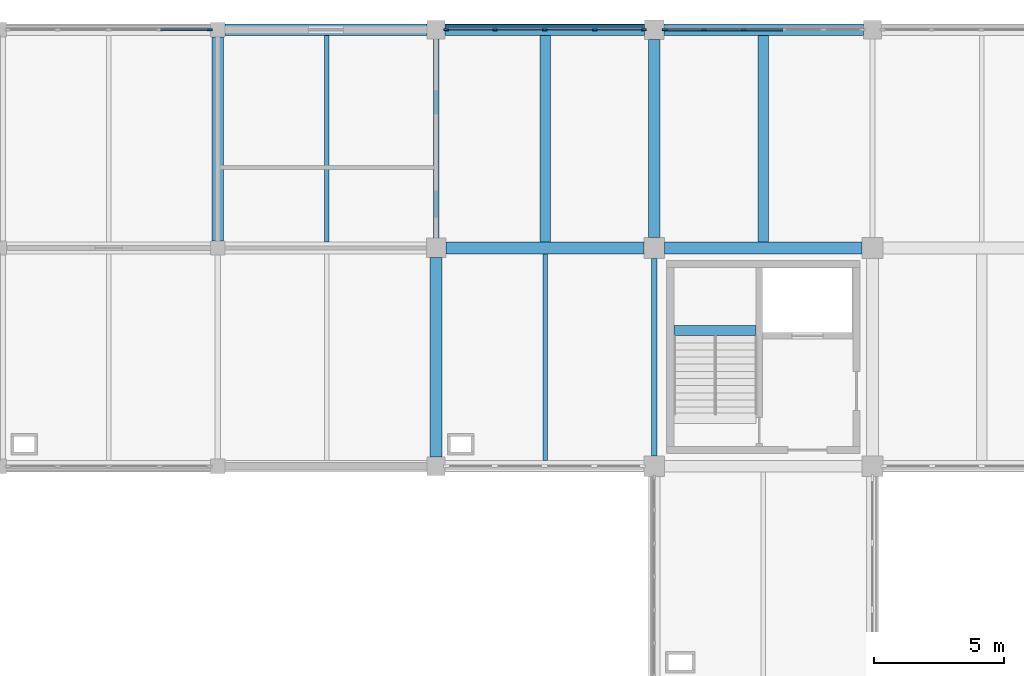
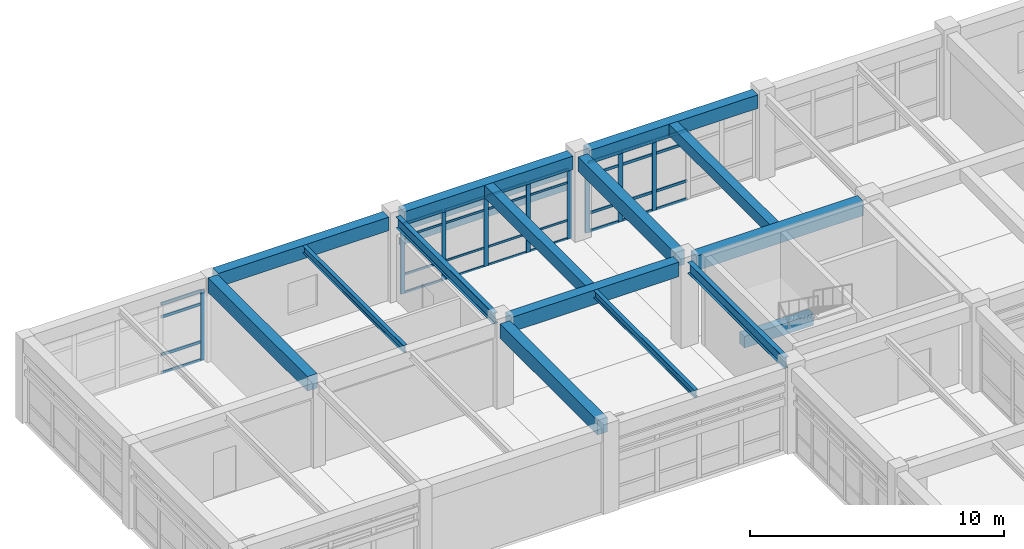
# One storey, part 32 of 74: 43 members, 15 beams, 3 elements without a shape of their own.
"""IFC4 building model written with IfcOpenShell, lengths in metres."""

from ifc_helpers import new_model, si_unit, direction, frame, origin, origin_2d, place, context, subcontext, project, spatial, rectangle, i_section, extrude, material, layer, layer_set, material_profile, profile_set, type_object, element, aggregate, save


model = new_model("IFC4")

# Units and contexts
model_context = context("Model", 3, precision=1e-05, world=origin(), true_north=direction((0.0, 1.0)))
body_context = subcontext(model_context, "Body", "Model", "MODEL_VIEW")
ifc_project = project(units=[si_unit("LENGTHUNIT", "METRE"), si_unit("AREAUNIT", "SQUARE_METRE"), si_unit("VOLUMEUNIT", "CUBIC_METRE"), si_unit("PLANEANGLEUNIT", "RADIAN"), si_unit("MASSUNIT", "GRAM", prefix="KILO")], contexts=[model_context])

# Site, building, storey
site_placement = place(None, origin())
site = spatial("IfcSite", under=ifc_project, at=site_placement, CompositionType="ELEMENT")
building_placement = place(site_placement, origin())
building = spatial("IfcBuilding", under=site, at=building_placement, Name="Porcellanite Civic Hall", CompositionType="ELEMENT")
storey_placement = place(building_placement, frame((0.0, 0.0, 14.760009765625)))
storey = spatial("IfcBuildingStorey", under=building, at=storey_placement, Name="L03", CompositionType="ELEMENT", Elevation=14.760009765625)

# Beams
ifc_material_1 = material(Name="Concrete N50 (50 MPa)", Category="concrete")
ifc_material_profile_1 = material_profile(ifc_material_1, rectangle(XDim=0.39990234375, YDim=0.550048828125, at=origin_2d()), Name="RC-400x550")
ifc_profile_set_1 = profile_set([ifc_material_profile_1], Name="Concrete N50 (50 MPa)")
beam_type_1 = type_object("IfcBeamType", Name="BM-RC550", PredefinedType="JOIST", material=ifc_profile_set_1)
beam_1_placement = place(storey_placement, frame((54.60009765625, 109.424560546875, 3.794921875), z_axis=(0.0, 1.0, 0.0), x_axis=(-1.0, 0.0, 0.0)))
element("IfcBeam", 1, at=beam_1_placement, inside=storey, type_object=beam_type_1, Name="Secondary joist L03 7-14", PredefinedType="JOIST", context=body_context, shape_type="SweptSolid", body=[
    extrude(rectangle(XDim=0.39990234375, YDim=0.550048828125, at=origin_2d()), origin(), (0.0, 0.0, 1.0), 7.950927734375),
])
beam_2_placement = place(storey_placement, frame((51.160400390625, 106.02490234375, 1.705078125), z_axis=(1.0, 0.0, 0.0), x_axis=(0.0, 1.0, 0.0)))
element("IfcBeam", 2, at=beam_2_placement, inside=storey, type_object=beam_type_1, Name="Stair landing beam C3 L03", PredefinedType="JOIST", context=body_context, shape_type="SweptSolid", body=[
    extrude(rectangle(XDim=0.39990234375, YDim=0.550048828125, at=origin_2d()), origin(), (0.0, 0.0, 1.0), 3.1591796875),
])
ifc_material_2 = material(Name="Concrete N50 (50 MPa)", Category="concrete")
ifc_material_profile_2 = material_profile(ifc_material_2, rectangle(XDim=0.39990234375, YDim=0.60009765625, at=origin_2d()), Name="RC-400x600")
ifc_profile_set_2 = profile_set([ifc_material_profile_2], Name="Concrete N50 (50 MPa)")
beam_type_2 = type_object("IfcBeamType", Name="BM-RC600", PredefinedType="JOIST", material=ifc_profile_set_2)
beam_3_placement = place(storey_placement, frame((46.199951171875, 109.424560546875, 3.77001953125), z_axis=(0.0, 1.0, 0.0), x_axis=(-1.0, 0.0, 0.0)))
element("IfcBeam", 3, at=beam_3_placement, inside=storey, type_object=beam_type_2, Name="Secondary joist L03 6-14", PredefinedType="JOIST", context=body_context, shape_type="SweptSolid", body=[
    extrude(rectangle(XDim=0.39990234375, YDim=0.60009765625, at=origin_2d()), origin(), (0.0, 0.0, 1.0), 7.950927734375),
])
ifc_material_3 = material(Name="Concrete N50 (50 MPa)", Category="concrete")
ifc_material_profile_3 = material_profile(ifc_material_3, rectangle(XDim=0.449951171875, YDim=0.64990234375, at=origin_2d()), Name="RC-450x650")
ifc_profile_set_3 = profile_set([ifc_material_profile_3], Name="Concrete N50 (50 MPa)")
beam_type_3 = type_object("IfcBeamType", Name="BM-RC650", PredefinedType="SPANDREL", material=ifc_profile_set_3)
beam_4_placement = place(storey_placement, frame((33.87451171875, 117.60009765625, 3.744873046875), z_axis=(1.0, 0.0, 0.0), x_axis=(0.0, 1.0, 0.0)))
element("IfcBeam", 4, at=beam_4_placement, inside=storey, type_object=beam_type_3, Name="Beam X L03 5-15", PredefinedType="SPANDREL", context=body_context, shape_type="SweptSolid", body=[
    extrude(rectangle(XDim=0.449951171875, YDim=0.64990234375, at=origin_2d()), origin(), (0.0, 0.0, 1.0), 7.77587890625),
])
beam_5_placement = place(storey_placement, frame((42.349609375, 117.60009765625, 3.744873046875), z_axis=(1.0, 0.0, 0.0), x_axis=(0.0, 1.0, 0.0)))
element("IfcBeam", 5, at=beam_5_placement, inside=storey, type_object=beam_type_3, Name="Beam X L03 6-15", PredefinedType="SPANDREL", context=body_context, shape_type="SweptSolid", body=[
    extrude(rectangle(XDim=0.449951171875, YDim=0.64990234375, at=origin_2d()), origin(), (0.0, 0.0, 1.0), 7.67578125),
])
beam_6_placement = place(storey_placement, frame((50.7744140625, 117.60009765625, 3.744873046875), z_axis=(1.0, 0.0, 0.0), x_axis=(0.0, 1.0, 0.0)))
element("IfcBeam", 6, at=beam_6_placement, inside=storey, type_object=beam_type_3, Name="Beam X L03 7-15", PredefinedType="SPANDREL", context=body_context, shape_type="SweptSolid", body=[
    extrude(rectangle(XDim=0.449951171875, YDim=0.64990234375, at=origin_2d()), origin(), (0.0, 0.0, 1.0), 7.676025390625),
])
ifc_material_4 = material(Name="Concrete N50 (50 MPa)", Category="concrete")
ifc_material_profile_4 = material_profile(ifc_material_4, rectangle(XDim=0.449951171875, YDim=0.699951171875, at=origin_2d()), Name="RC-450x700")
ifc_profile_set_4 = profile_set([ifc_material_profile_4], Name="Concrete N50 (50 MPa)")
beam_type_4 = type_object("IfcBeamType", Name="BM-RC700", PredefinedType="BEAM", material=ifc_profile_set_4)
beam_7_placement = place(storey_placement, frame((42.37451171875, 109.199951171875, 3.719970703125), z_axis=(1.0, 0.0, 0.0), x_axis=(0.0, 1.0, 0.0)))
element("IfcBeam", 7, at=beam_7_placement, inside=storey, type_object=beam_type_4, Name="Beam X L03 6-14", PredefinedType="BEAM", context=body_context, shape_type="SweptSolid", body=[
    extrude(rectangle(XDim=0.449951171875, YDim=0.699951171875, at=origin_2d()), origin(), (0.0, 0.0, 1.0), 7.6259765625),
])
beam_8_placement = place(storey_placement, frame((50.799560546875, 109.199951171875, 3.719970703125), z_axis=(1.0, 0.0, 0.0), x_axis=(0.0, 1.0, 0.0)))
element("IfcBeam", 8, at=beam_8_placement, inside=storey, type_object=beam_type_4, Name="Beam X L03 7-14", PredefinedType="BEAM", context=body_context, shape_type="SweptSolid", body=[
    extrude(rectangle(XDim=0.449951171875, YDim=0.699951171875, at=origin_2d()), origin(), (0.0, 0.0, 1.0), 7.600830078125),
])
beam_9_placement = place(storey_placement, frame((33.60009765625, 109.474609375, 3.719970703125), z_axis=(0.0, 1.0, 0.0), x_axis=(-1.0, 0.0, 0.0)))
element("IfcBeam", 9, at=beam_9_placement, inside=storey, type_object=beam_type_4, Name="Beam Y L03 5-14", PredefinedType="BEAM", context=body_context, shape_type="SweptSolid", body=[
    extrude(rectangle(XDim=0.449951171875, YDim=0.699951171875, at=origin_2d()), origin(), (0.0, 0.0, 1.0), 7.850830078125),
])
beam_10_placement = place(storey_placement, frame((42.0, 101.1494140625, 3.719970703125), z_axis=(0.0, 1.0, 0.0), x_axis=(-1.0, 0.0, 0.0)))
element("IfcBeam", 10, at=beam_10_placement, inside=storey, type_object=beam_type_4, Name="Beam Y L03 6-13", PredefinedType="BEAM", context=body_context, shape_type="SweptSolid", body=[
    extrude(rectangle(XDim=0.449951171875, YDim=0.699951171875, at=origin_2d()), origin(), (0.0, 0.0, 1.0), 7.676025390625),
])
beam_11_placement = place(storey_placement, frame((50.39990234375, 109.599609375, 3.719970703125), z_axis=(0.0, 1.0, 0.0), x_axis=(-1.0, 0.0, 0.0)))
element("IfcBeam", 11, at=beam_11_placement, inside=storey, type_object=beam_type_4, Name="Beam Y L03 7-14", PredefinedType="BEAM", context=body_context, shape_type="SweptSolid", body=[
    extrude(rectangle(XDim=0.449951171875, YDim=0.699951171875, at=origin_2d()), origin(), (0.0, 0.0, 1.0), 7.6259765625),
])

# Curtain wall, members
ifc_material_5 = material(Name="Anodised aluminium and solar laminated glass", Category="aluminium")
ifc_layer_1 = layer(ifc_material_5, 0.179931640625)
ifc_layer_set_1 = layer_set([ifc_layer_1], Name="Anodised aluminium and solar laminated glass")
curtain_wall_type_1 = type_object("IfcCurtainWallType", Name="CW-SYS04", PredefinedType="NOTDEFINED", material=ifc_layer_set_1)
curtain_wall_1_placement = place(storey_placement, origin())
curtain_wall_1 = element("IfcCurtainWall", 12, at=curtain_wall_1_placement, inside=storey, type_object=curtain_wall_type_1, Name="Curtain wall CW-193", PredefinedType="NOTDEFINED")
ifc_material_6 = material(Name="Anodised aluminium 6063-T6", Category="aluminium")
ifc_material_profile_5 = material_profile(ifc_material_6, rectangle(XDim=0.074951171875, YDim=0.18994140625, at=origin_2d()), Name="AL-75x190")
ifc_profile_set_5 = profile_set([ifc_material_profile_5], Name="Anodised aluminium 6063-T6")
member_type_1 = type_object("IfcMemberType", Name="CWM-04", PredefinedType="MULLION", material=ifc_profile_set_5)
member_1_placement = place(storey_placement, frame((42.388427734375, 117.60009765625, 0.0), z_axis=(0.0, 0.0, 1.0), x_axis=(0.0, 1.0, 0.0)))
member_1 = element("IfcMember", 13, at=member_1_placement, type_object=member_type_1, Name="CW-193 mullion 1", PredefinedType="MULLION", context=body_context, shape_type="SweptSolid", body=[
    extrude(rectangle(XDim=0.074951171875, YDim=0.18994140625, at=origin_2d()), origin(), (0.0, 0.0, 1.0), 3.369873046875),
])
member_2_placement = place(storey_placement, frame((44.269287109375, 117.60009765625, 0.0), z_axis=(0.0, 0.0, 1.0), x_axis=(0.0, 1.0, 0.0)))
member_2 = element("IfcMember", 14, at=member_2_placement, type_object=member_type_1, Name="CW-193 mullion 2", PredefinedType="MULLION", context=body_context, shape_type="SweptSolid", body=[
    extrude(rectangle(XDim=0.074951171875, YDim=0.18994140625, at=origin_2d()), origin(), (0.0, 0.0, 1.0), 3.369873046875),
])
member_3_placement = place(storey_placement, frame((46.1875, 117.60009765625, 0.0), z_axis=(0.0, 0.0, 1.0), x_axis=(0.0, 1.0, 0.0)))
member_3 = element("IfcMember", 15, at=member_3_placement, type_object=member_type_1, Name="CW-193 mullion 3", PredefinedType="MULLION", context=body_context, shape_type="SweptSolid", body=[
    extrude(rectangle(XDim=0.074951171875, YDim=0.18994140625, at=origin_2d()), origin(), (0.0, 0.0, 1.0), 3.369873046875),
])
member_4_placement = place(storey_placement, frame((48.105712890625, 117.60009765625, 0.0), z_axis=(0.0, 0.0, 1.0), x_axis=(0.0, 1.0, 0.0)))
member_4 = element("IfcMember", 16, at=member_4_placement, type_object=member_type_1, Name="CW-193 mullion 4", PredefinedType="MULLION", context=body_context, shape_type="SweptSolid", body=[
    extrude(rectangle(XDim=0.074951171875, YDim=0.18994140625, at=origin_2d()), origin(), (0.0, 0.0, 1.0), 3.369873046875),
])
member_5_placement = place(storey_placement, frame((49.986572265625, 117.60009765625, 0.0), z_axis=(0.0, 0.0, 1.0), x_axis=(0.0, 1.0, 0.0)))
member_5 = element("IfcMember", 17, at=member_5_placement, type_object=member_type_1, Name="CW-193 mullion 5", PredefinedType="MULLION", context=body_context, shape_type="SweptSolid", body=[
    extrude(rectangle(XDim=0.074951171875, YDim=0.18994140625, at=origin_2d()), origin(), (0.0, 0.0, 1.0), 3.369873046875),
])

# Curtain wall, member
ifc_material_7 = material(Name="Anodised aluminium and solar laminated glass", Category="aluminium")
ifc_layer_2 = layer(ifc_material_7, 0.179931640625)
ifc_layer_set_2 = layer_set([ifc_layer_2], Name="Anodised aluminium and solar laminated glass")
curtain_wall_type_2 = type_object("IfcCurtainWallType", Name="CW-SYS05", PredefinedType="NOTDEFINED", material=ifc_layer_set_2)
curtain_wall_2_placement = place(storey_placement, origin())
curtain_wall_2 = element("IfcCurtainWall", 18, at=curtain_wall_2_placement, inside=storey, type_object=curtain_wall_type_2, Name="Curtain wall CW-190", PredefinedType="NOTDEFINED")
ifc_material_8 = material(Name="Anodised aluminium 6063-T6", Category="aluminium")
ifc_material_profile_6 = material_profile(ifc_material_8, rectangle(XDim=0.070068359375, YDim=0.199951171875, at=origin_2d()), Name="AL-70x200")
ifc_profile_set_6 = profile_set([ifc_material_profile_6], Name="Anodised aluminium 6063-T6")
member_type_2 = type_object("IfcMemberType", Name="CWM-05", PredefinedType="MULLION", material=ifc_profile_set_6)
member_6_placement = place(storey_placement, frame((33.2890625, 117.60009765625, 0.0), z_axis=(0.0, 0.0, 1.0), x_axis=(0.0, 1.0, 0.0)))
member_6 = element("IfcMember", 19, at=member_6_placement, type_object=member_type_2, Name="CW-190 mullion 5", PredefinedType="MULLION", context=body_context, shape_type="SweptSolid", body=[
    extrude(rectangle(XDim=0.070068359375, YDim=0.199951171875, at=origin_2d()), origin(), (0.0, 0.0, 1.0), 3.369873046875),
])

# Curtain wall, members
ifc_material_9 = material(Name="Anodised aluminium and solar laminated glass", Category="aluminium")
ifc_layer_3 = layer(ifc_material_9, 0.179931640625)
ifc_layer_set_3 = layer_set([ifc_layer_3], Name="Anodised aluminium and solar laminated glass")
curtain_wall_type_3 = type_object("IfcCurtainWallType", Name="CW-SYS01", PredefinedType="NOTDEFINED", material=ifc_layer_set_3)
curtain_wall_3_placement = place(storey_placement, origin())
curtain_wall_3 = element("IfcCurtainWall", 20, at=curtain_wall_3_placement, inside=storey, type_object=curtain_wall_type_3, Name="Curtain wall CW-203", PredefinedType="NOTDEFINED")
member_7_placement = place(storey_placement, frame((50.81103515625, 117.60009765625, 0.0), z_axis=(0.0, 0.0, 1.0), x_axis=(0.0, 1.0, 0.0)))
member_7 = element("IfcMember", 21, at=member_7_placement, type_object=member_type_2, Name="CW-203 mullion 1", PredefinedType="MULLION", context=body_context, shape_type="SweptSolid", body=[
    extrude(rectangle(XDim=0.070068359375, YDim=0.199951171875, at=origin_2d()), origin(), (0.0, 0.0, 1.0), 3.369873046875),
])
member_8_placement = place(storey_placement, frame((52.310546875, 117.60009765625, 0.0), z_axis=(0.0, 0.0, 1.0), x_axis=(0.0, 1.0, 0.0)))
member_8 = element("IfcMember", 22, at=member_8_placement, type_object=member_type_2, Name="CW-203 mullion 2", PredefinedType="MULLION", context=body_context, shape_type="SweptSolid", body=[
    extrude(rectangle(XDim=0.070068359375, YDim=0.199951171875, at=origin_2d()), origin(), (0.0, 0.0, 1.0), 3.369873046875),
])
member_9_placement = place(storey_placement, frame((53.84521484375, 117.60009765625, 0.0), z_axis=(0.0, 0.0, 1.0), x_axis=(0.0, 1.0, 0.0)))
member_9 = element("IfcMember", 23, at=member_9_placement, type_object=member_type_2, Name="CW-203 mullion 3", PredefinedType="MULLION", context=body_context, shape_type="SweptSolid", body=[
    extrude(rectangle(XDim=0.070068359375, YDim=0.199951171875, at=origin_2d()), origin(), (0.0, 0.0, 1.0), 3.369873046875),
])

# Member
ifc_material_10 = material(Name="Anodised aluminium 6063-T6", Category="aluminium")
ifc_material_profile_7 = material_profile(ifc_material_10, rectangle(XDim=0.06005859375, YDim=0.1298828125, at=origin_2d()), Name="AL-60x130")
ifc_profile_set_7 = profile_set([ifc_material_profile_7], Name="Anodised aluminium 6063-T6")
member_type_3 = type_object("IfcMemberType", Name="CWT-03", PredefinedType="USERDEFINED", material=ifc_profile_set_7)
member_10_placement = place(storey_placement, frame((31.39697265625, 117.60009765625, 0.030029296875), z_axis=(1.0, 0.0, 0.0), x_axis=(0.0, 1.0, 0.0)))
member_10 = element("IfcMember", 24, at=member_10_placement, type_object=member_type_3, Name="CW-190 transom 4.1", ObjectType="TRANSOM", PredefinedType="USERDEFINED", context=body_context, shape_type="SweptSolid", body=[
    extrude(rectangle(XDim=0.06005859375, YDim=0.1298828125, at=origin_2d()), origin(), (0.0, 0.0, 1.0), 1.85693359375),
])

member_11_placement = place(storey_placement, frame((31.39697265625, 117.60009765625, 0.89990234375), z_axis=(1.0, 0.0, 0.0), x_axis=(0.0, 1.0, 0.0)))
member_11 = element("IfcMember", 25, at=member_11_placement, type_object=member_type_3, Name="CW-190 transom 4.2", ObjectType="TRANSOM", PredefinedType="USERDEFINED", context=body_context, shape_type="SweptSolid", body=[
    extrude(rectangle(XDim=0.06005859375, YDim=0.1298828125, at=origin_2d()), origin(), (0.0, 0.0, 1.0), 1.85693359375),
])

member_12_placement = place(storey_placement, frame((31.39697265625, 117.60009765625, 2.719970703125), z_axis=(1.0, 0.0, 0.0), x_axis=(0.0, 1.0, 0.0)))
member_12 = element("IfcMember", 26, at=member_12_placement, type_object=member_type_3, Name="CW-190 transom 4.3", ObjectType="TRANSOM", PredefinedType="USERDEFINED", context=body_context, shape_type="SweptSolid", body=[
    extrude(rectangle(XDim=0.06005859375, YDim=0.1298828125, at=origin_2d()), origin(), (0.0, 0.0, 1.0), 1.85693359375),
])

member_13_placement = place(storey_placement, frame((31.39697265625, 117.60009765625, 3.340087890625), z_axis=(1.0, 0.0, 0.0), x_axis=(0.0, 1.0, 0.0)))
member_13 = element("IfcMember", 27, at=member_13_placement, type_object=member_type_3, Name="CW-190 transom 4.4", ObjectType="TRANSOM", PredefinedType="USERDEFINED", context=body_context, shape_type="SweptSolid", body=[
    extrude(rectangle(XDim=0.06005859375, YDim=0.1298828125, at=origin_2d()), origin(), (0.0, 0.0, 1.0), 1.85693359375),
])

aggregate(curtain_wall_2, [member_6, member_10, member_11, member_12, member_13])

member_14_placement = place(storey_placement, frame((50.845947265625, 117.60009765625, 0.030029296875), z_axis=(1.0, 0.0, 0.0), x_axis=(0.0, 1.0, 0.0)))
member_14 = element("IfcMember", 28, at=member_14_placement, type_object=member_type_3, Name="CW-203 transom 1.1", ObjectType="TRANSOM", PredefinedType="USERDEFINED", context=body_context, shape_type="SweptSolid", body=[
    extrude(rectangle(XDim=0.06005859375, YDim=0.1298828125, at=origin_2d()), origin(), (0.0, 0.0, 1.0), 1.4296875),
])

member_15_placement = place(storey_placement, frame((50.845947265625, 117.60009765625, 0.89990234375), z_axis=(1.0, 0.0, 0.0), x_axis=(0.0, 1.0, 0.0)))
member_15 = element("IfcMember", 29, at=member_15_placement, type_object=member_type_3, Name="CW-203 transom 1.2", ObjectType="TRANSOM", PredefinedType="USERDEFINED", context=body_context, shape_type="SweptSolid", body=[
    extrude(rectangle(XDim=0.06005859375, YDim=0.1298828125, at=origin_2d()), origin(), (0.0, 0.0, 1.0), 1.4296875),
])

member_16_placement = place(storey_placement, frame((50.845947265625, 117.60009765625, 2.719970703125), z_axis=(1.0, 0.0, 0.0), x_axis=(0.0, 1.0, 0.0)))
member_16 = element("IfcMember", 30, at=member_16_placement, type_object=member_type_3, Name="CW-203 transom 1.3", ObjectType="TRANSOM", PredefinedType="USERDEFINED", context=body_context, shape_type="SweptSolid", body=[
    extrude(rectangle(XDim=0.06005859375, YDim=0.1298828125, at=origin_2d()), origin(), (0.0, 0.0, 1.0), 1.4296875),
])

member_17_placement = place(storey_placement, frame((50.845947265625, 117.60009765625, 3.340087890625), z_axis=(1.0, 0.0, 0.0), x_axis=(0.0, 1.0, 0.0)))
member_17 = element("IfcMember", 31, at=member_17_placement, type_object=member_type_3, Name="CW-203 transom 1.4", ObjectType="TRANSOM", PredefinedType="USERDEFINED", context=body_context, shape_type="SweptSolid", body=[
    extrude(rectangle(XDim=0.06005859375, YDim=0.1298828125, at=origin_2d()), origin(), (0.0, 0.0, 1.0), 1.4296875),
])

member_18_placement = place(storey_placement, frame((52.345703125, 117.60009765625, 0.030029296875), z_axis=(1.0, 0.0, 0.0), x_axis=(0.0, 1.0, 0.0)))
member_18 = element("IfcMember", 32, at=member_18_placement, type_object=member_type_3, Name="CW-203 transom 2.1", ObjectType="TRANSOM", PredefinedType="USERDEFINED", context=body_context, shape_type="SweptSolid", body=[
    extrude(rectangle(XDim=0.06005859375, YDim=0.1298828125, at=origin_2d()), origin(), (0.0, 0.0, 1.0), 1.464599609375),
])

member_19_placement = place(storey_placement, frame((52.345703125, 117.60009765625, 0.89990234375), z_axis=(1.0, 0.0, 0.0), x_axis=(0.0, 1.0, 0.0)))
member_19 = element("IfcMember", 33, at=member_19_placement, type_object=member_type_3, Name="CW-203 transom 2.2", ObjectType="TRANSOM", PredefinedType="USERDEFINED", context=body_context, shape_type="SweptSolid", body=[
    extrude(rectangle(XDim=0.06005859375, YDim=0.1298828125, at=origin_2d()), origin(), (0.0, 0.0, 1.0), 1.464599609375),
])

member_20_placement = place(storey_placement, frame((52.345703125, 117.60009765625, 2.719970703125), z_axis=(1.0, 0.0, 0.0), x_axis=(0.0, 1.0, 0.0)))
member_20 = element("IfcMember", 34, at=member_20_placement, type_object=member_type_3, Name="CW-203 transom 2.3", ObjectType="TRANSOM", PredefinedType="USERDEFINED", context=body_context, shape_type="SweptSolid", body=[
    extrude(rectangle(XDim=0.06005859375, YDim=0.1298828125, at=origin_2d()), origin(), (0.0, 0.0, 1.0), 1.464599609375),
])

member_21_placement = place(storey_placement, frame((52.345703125, 117.60009765625, 3.340087890625), z_axis=(1.0, 0.0, 0.0), x_axis=(0.0, 1.0, 0.0)))
member_21 = element("IfcMember", 35, at=member_21_placement, type_object=member_type_3, Name="CW-203 transom 2.4", ObjectType="TRANSOM", PredefinedType="USERDEFINED", context=body_context, shape_type="SweptSolid", body=[
    extrude(rectangle(XDim=0.06005859375, YDim=0.1298828125, at=origin_2d()), origin(), (0.0, 0.0, 1.0), 1.464599609375),
])

member_22_placement = place(storey_placement, frame((53.880126953125, 117.60009765625, 0.030029296875), z_axis=(1.0, 0.0, 0.0), x_axis=(0.0, 1.0, 0.0)))
member_22 = element("IfcMember", 36, at=member_22_placement, type_object=member_type_3, Name="CW-203 transom 3.1", ObjectType="TRANSOM", PredefinedType="USERDEFINED", context=body_context, shape_type="SweptSolid", body=[
    extrude(rectangle(XDim=0.06005859375, YDim=0.1298828125, at=origin_2d()), origin(), (0.0, 0.0, 1.0), 1.464599609375),
])

member_23_placement = place(storey_placement, frame((53.880126953125, 117.60009765625, 0.89990234375), z_axis=(1.0, 0.0, 0.0), x_axis=(0.0, 1.0, 0.0)))
member_23 = element("IfcMember", 37, at=member_23_placement, type_object=member_type_3, Name="CW-203 transom 3.2", ObjectType="TRANSOM", PredefinedType="USERDEFINED", context=body_context, shape_type="SweptSolid", body=[
    extrude(rectangle(XDim=0.06005859375, YDim=0.1298828125, at=origin_2d()), origin(), (0.0, 0.0, 1.0), 1.464599609375),
])

member_24_placement = place(storey_placement, frame((53.880126953125, 117.60009765625, 2.719970703125), z_axis=(1.0, 0.0, 0.0), x_axis=(0.0, 1.0, 0.0)))
member_24 = element("IfcMember", 38, at=member_24_placement, type_object=member_type_3, Name="CW-203 transom 3.3", ObjectType="TRANSOM", PredefinedType="USERDEFINED", context=body_context, shape_type="SweptSolid", body=[
    extrude(rectangle(XDim=0.06005859375, YDim=0.1298828125, at=origin_2d()), origin(), (0.0, 0.0, 1.0), 1.464599609375),
])

member_25_placement = place(storey_placement, frame((53.880126953125, 117.60009765625, 3.340087890625), z_axis=(1.0, 0.0, 0.0), x_axis=(0.0, 1.0, 0.0)))
member_25 = element("IfcMember", 39, at=member_25_placement, type_object=member_type_3, Name="CW-203 transom 3.4", ObjectType="TRANSOM", PredefinedType="USERDEFINED", context=body_context, shape_type="SweptSolid", body=[
    extrude(rectangle(XDim=0.06005859375, YDim=0.1298828125, at=origin_2d()), origin(), (0.0, 0.0, 1.0), 1.464599609375),
])

aggregate(curtain_wall_3, [member_7, member_8, member_9, member_14, member_15, member_16, member_17, member_18, member_19, member_20, member_21, member_22, member_23, member_24, member_25])

ifc_material_11 = material(Name="Anodised aluminium 6063-T6", Category="aluminium")
ifc_material_profile_8 = material_profile(ifc_material_11, rectangle(XDim=0.054931640625, YDim=0.10009765625, at=origin_2d()), Name="AL-55x100")
ifc_profile_set_8 = profile_set([ifc_material_profile_8], Name="Anodised aluminium 6063-T6")
member_type_4 = type_object("IfcMemberType", Name="CWT-05", PredefinedType="USERDEFINED", material=ifc_profile_set_8)
member_26_placement = place(storey_placement, frame((42.426025390625, 117.60009765625, 0.027587890625), z_axis=(1.0, 0.0, 0.0), x_axis=(0.0, 1.0, 0.0)))
member_26 = element("IfcMember", 40, at=member_26_placement, type_object=member_type_4, Name="CW-193 transom 1.1", ObjectType="TRANSOM", PredefinedType="USERDEFINED", context=body_context, shape_type="SweptSolid", body=[
    extrude(rectangle(XDim=0.054931640625, YDim=0.10009765625, at=origin_2d()), origin(), (0.0, 0.0, 1.0), 1.8056640625),
])

member_27_placement = place(storey_placement, frame((42.426025390625, 117.60009765625, 0.89990234375), z_axis=(1.0, 0.0, 0.0), x_axis=(0.0, 1.0, 0.0)))
member_27 = element("IfcMember", 41, at=member_27_placement, type_object=member_type_4, Name="CW-193 transom 1.2", ObjectType="TRANSOM", PredefinedType="USERDEFINED", context=body_context, shape_type="SweptSolid", body=[
    extrude(rectangle(XDim=0.054931640625, YDim=0.10009765625, at=origin_2d()), origin(), (0.0, 0.0, 1.0), 1.8056640625),
])

member_28_placement = place(storey_placement, frame((42.426025390625, 117.60009765625, 2.719970703125), z_axis=(1.0, 0.0, 0.0), x_axis=(0.0, 1.0, 0.0)))
member_28 = element("IfcMember", 42, at=member_28_placement, type_object=member_type_4, Name="CW-193 transom 1.3", ObjectType="TRANSOM", PredefinedType="USERDEFINED", context=body_context, shape_type="SweptSolid", body=[
    extrude(rectangle(XDim=0.054931640625, YDim=0.10009765625, at=origin_2d()), origin(), (0.0, 0.0, 1.0), 1.8056640625),
])

member_29_placement = place(storey_placement, frame((42.426025390625, 117.60009765625, 3.342529296875), z_axis=(1.0, 0.0, 0.0), x_axis=(0.0, 1.0, 0.0)))
member_29 = element("IfcMember", 43, at=member_29_placement, type_object=member_type_4, Name="CW-193 transom 1.4", ObjectType="TRANSOM", PredefinedType="USERDEFINED", context=body_context, shape_type="SweptSolid", body=[
    extrude(rectangle(XDim=0.054931640625, YDim=0.10009765625, at=origin_2d()), origin(), (0.0, 0.0, 1.0), 1.8056640625),
])

member_30_placement = place(storey_placement, frame((44.306640625, 117.60009765625, 0.027587890625), z_axis=(1.0, 0.0, 0.0), x_axis=(0.0, 1.0, 0.0)))
member_30 = element("IfcMember", 44, at=member_30_placement, type_object=member_type_4, Name="CW-193 transom 2.1", ObjectType="TRANSOM", PredefinedType="USERDEFINED", context=body_context, shape_type="SweptSolid", body=[
    extrude(rectangle(XDim=0.054931640625, YDim=0.10009765625, at=origin_2d()), origin(), (0.0, 0.0, 1.0), 1.84326171875),
])

member_31_placement = place(storey_placement, frame((44.306640625, 117.60009765625, 0.89990234375), z_axis=(1.0, 0.0, 0.0), x_axis=(0.0, 1.0, 0.0)))
member_31 = element("IfcMember", 45, at=member_31_placement, type_object=member_type_4, Name="CW-193 transom 2.2", ObjectType="TRANSOM", PredefinedType="USERDEFINED", context=body_context, shape_type="SweptSolid", body=[
    extrude(rectangle(XDim=0.054931640625, YDim=0.10009765625, at=origin_2d()), origin(), (0.0, 0.0, 1.0), 1.84326171875),
])

member_32_placement = place(storey_placement, frame((44.306640625, 117.60009765625, 2.719970703125), z_axis=(1.0, 0.0, 0.0), x_axis=(0.0, 1.0, 0.0)))
member_32 = element("IfcMember", 46, at=member_32_placement, type_object=member_type_4, Name="CW-193 transom 2.3", ObjectType="TRANSOM", PredefinedType="USERDEFINED", context=body_context, shape_type="SweptSolid", body=[
    extrude(rectangle(XDim=0.054931640625, YDim=0.10009765625, at=origin_2d()), origin(), (0.0, 0.0, 1.0), 1.84326171875),
])

member_33_placement = place(storey_placement, frame((44.306640625, 117.60009765625, 3.342529296875), z_axis=(1.0, 0.0, 0.0), x_axis=(0.0, 1.0, 0.0)))
member_33 = element("IfcMember", 47, at=member_33_placement, type_object=member_type_4, Name="CW-193 transom 2.4", ObjectType="TRANSOM", PredefinedType="USERDEFINED", context=body_context, shape_type="SweptSolid", body=[
    extrude(rectangle(XDim=0.054931640625, YDim=0.10009765625, at=origin_2d()), origin(), (0.0, 0.0, 1.0), 1.84326171875),
])

member_34_placement = place(storey_placement, frame((46.22509765625, 117.60009765625, 0.027587890625), z_axis=(1.0, 0.0, 0.0), x_axis=(0.0, 1.0, 0.0)))
member_34 = element("IfcMember", 48, at=member_34_placement, type_object=member_type_4, Name="CW-193 transom 3.1", ObjectType="TRANSOM", PredefinedType="USERDEFINED", context=body_context, shape_type="SweptSolid", body=[
    extrude(rectangle(XDim=0.054931640625, YDim=0.10009765625, at=origin_2d()), origin(), (0.0, 0.0, 1.0), 1.84326171875),
])

member_35_placement = place(storey_placement, frame((46.22509765625, 117.60009765625, 0.89990234375), z_axis=(1.0, 0.0, 0.0), x_axis=(0.0, 1.0, 0.0)))
member_35 = element("IfcMember", 49, at=member_35_placement, type_object=member_type_4, Name="CW-193 transom 3.2", ObjectType="TRANSOM", PredefinedType="USERDEFINED", context=body_context, shape_type="SweptSolid", body=[
    extrude(rectangle(XDim=0.054931640625, YDim=0.10009765625, at=origin_2d()), origin(), (0.0, 0.0, 1.0), 1.84326171875),
])

member_36_placement = place(storey_placement, frame((46.22509765625, 117.60009765625, 2.719970703125), z_axis=(1.0, 0.0, 0.0), x_axis=(0.0, 1.0, 0.0)))
member_36 = element("IfcMember", 50, at=member_36_placement, type_object=member_type_4, Name="CW-193 transom 3.3", ObjectType="TRANSOM", PredefinedType="USERDEFINED", context=body_context, shape_type="SweptSolid", body=[
    extrude(rectangle(XDim=0.054931640625, YDim=0.10009765625, at=origin_2d()), origin(), (0.0, 0.0, 1.0), 1.84326171875),
])

member_37_placement = place(storey_placement, frame((46.22509765625, 117.60009765625, 3.342529296875), z_axis=(1.0, 0.0, 0.0), x_axis=(0.0, 1.0, 0.0)))
member_37 = element("IfcMember", 51, at=member_37_placement, type_object=member_type_4, Name="CW-193 transom 3.4", ObjectType="TRANSOM", PredefinedType="USERDEFINED", context=body_context, shape_type="SweptSolid", body=[
    extrude(rectangle(XDim=0.054931640625, YDim=0.10009765625, at=origin_2d()), origin(), (0.0, 0.0, 1.0), 1.84326171875),
])

member_38_placement = place(storey_placement, frame((48.143310546875, 117.60009765625, 0.027587890625), z_axis=(1.0, 0.0, 0.0), x_axis=(0.0, 1.0, 0.0)))
member_38 = element("IfcMember", 52, at=member_38_placement, type_object=member_type_4, Name="CW-193 transom 4.1", ObjectType="TRANSOM", PredefinedType="USERDEFINED", context=body_context, shape_type="SweptSolid", body=[
    extrude(rectangle(XDim=0.054931640625, YDim=0.10009765625, at=origin_2d()), origin(), (0.0, 0.0, 1.0), 1.8056640625),
])

member_39_placement = place(storey_placement, frame((48.143310546875, 117.60009765625, 0.89990234375), z_axis=(1.0, 0.0, 0.0), x_axis=(0.0, 1.0, 0.0)))
member_39 = element("IfcMember", 53, at=member_39_placement, type_object=member_type_4, Name="CW-193 transom 4.2", ObjectType="TRANSOM", PredefinedType="USERDEFINED", context=body_context, shape_type="SweptSolid", body=[
    extrude(rectangle(XDim=0.054931640625, YDim=0.10009765625, at=origin_2d()), origin(), (0.0, 0.0, 1.0), 1.8056640625),
])

member_40_placement = place(storey_placement, frame((48.143310546875, 117.60009765625, 2.719970703125), z_axis=(1.0, 0.0, 0.0), x_axis=(0.0, 1.0, 0.0)))
member_40 = element("IfcMember", 54, at=member_40_placement, type_object=member_type_4, Name="CW-193 transom 4.3", ObjectType="TRANSOM", PredefinedType="USERDEFINED", context=body_context, shape_type="SweptSolid", body=[
    extrude(rectangle(XDim=0.054931640625, YDim=0.10009765625, at=origin_2d()), origin(), (0.0, 0.0, 1.0), 1.8056640625),
])

member_41_placement = place(storey_placement, frame((48.143310546875, 117.60009765625, 3.342529296875), z_axis=(1.0, 0.0, 0.0), x_axis=(0.0, 1.0, 0.0)))
member_41 = element("IfcMember", 55, at=member_41_placement, type_object=member_type_4, Name="CW-193 transom 4.4", ObjectType="TRANSOM", PredefinedType="USERDEFINED", context=body_context, shape_type="SweptSolid", body=[
    extrude(rectangle(XDim=0.054931640625, YDim=0.10009765625, at=origin_2d()), origin(), (0.0, 0.0, 1.0), 1.8056640625),
])

aggregate(curtain_wall_1, [member_1, member_2, member_3, member_4, member_5, member_26, member_27, member_28, member_29, member_30, member_31, member_32, member_33, member_34, member_35, member_36, member_37, member_38, member_39, member_40, member_41])

# Beams
ifc_material_12 = material(Name="Steel Grade 350", Category="steel")
ifc_material_profile_9 = material_profile(ifc_material_12, i_section(OverallWidth=0.1708984375, OverallDepth=0.35595703125, WebThickness=0.00732421875, FlangeThickness=0.011474609375, FilletRadius=0.011474609375, at=origin_2d()), Name="360UB50.7")
ifc_profile_set_9 = profile_set([ifc_material_profile_9], Name="Steel Grade 350")
beam_type_5 = type_object("IfcBeamType", Name="JST-360UB51", PredefinedType="JOIST", material=ifc_profile_set_9)
beam_12_placement = place(storey_placement, frame((37.800048828125, 109.424560546875, 3.89208984375), z_axis=(0.0, 1.0, 0.0), x_axis=(-1.0, 0.0, 0.0)))
element("IfcBeam", 56, at=beam_12_placement, inside=storey, type_object=beam_type_5, Name="Secondary joist L03 5-14", PredefinedType="JOIST", context=body_context, shape_type="SweptSolid", body=[
    extrude(i_section(OverallWidth=0.1708984375, OverallDepth=0.35595703125, WebThickness=0.00732421875, FlangeThickness=0.011474609375, FilletRadius=0.011474609375, at=origin_2d()), origin(), (0.0, 0.0, 1.0), 7.950927734375),
])
beam_13_placement = place(storey_placement, frame((46.199951171875, 101.0244140625, 3.89208984375), z_axis=(0.0, 1.0, 0.0), x_axis=(-1.0, 0.0, 0.0)))
element("IfcBeam", 57, at=beam_13_placement, inside=storey, type_object=beam_type_5, Name="Secondary joist L03 6-13", PredefinedType="JOIST", context=body_context, shape_type="SweptSolid", body=[
    extrude(i_section(OverallWidth=0.1708984375, OverallDepth=0.35595703125, WebThickness=0.00732421875, FlangeThickness=0.011474609375, FilletRadius=0.011474609375, at=origin_2d()), origin(), (0.0, 0.0, 1.0), 7.951171875),
])

# Members
ifc_material_13 = material(Name="Fluoropolymer bauxite-red aluminium 6063-T6", Category="aluminium")
ifc_material_profile_10 = material_profile(ifc_material_13, rectangle(XDim=0.0849609375, YDim=0.340087890625, at=origin_2d()), Name="AL-85x340")
ifc_profile_set_10 = profile_set([ifc_material_profile_10], Name="Fluoropolymer bauxite-red aluminium 6063-T6")
member_type_5 = type_object("IfcMemberType", Name="LV-BLD02", PredefinedType="USERDEFINED", material=ifc_profile_set_10)
for number, where, z_axis, x_axis, name in (
    (58, (42.349609375, 117.739501953125, 3.070068359375), (1.0, 0.0, 0.0), (0.0, 1.0, 0.0), "Cyclone sunshade louvre L03 N 5-13 1"),
    (59, (42.349609375, 117.739501953125, 2.419921875), (1.0, 0.0, 0.0), (0.0, 1.0, 0.0), "Cyclone sunshade louvre L03 N 5-13 2"),
):
    element("IfcMember", number, at=place(storey_placement, frame(where, z_axis=z_axis, x_axis=x_axis)), inside=storey, type_object=member_type_5, Name=name, ObjectType="LOUVRE BLADE", PredefinedType="USERDEFINED", context=body_context, shape_type="SweptSolid", body=[
        extrude(rectangle(XDim=0.0849609375, YDim=0.340087890625, at=origin_2d()), origin(), (0.0, 0.0, 1.0), 7.67578125),
    ])

# Beams
ifc_material_14 = material(Name="Steel Grade 350", Category="steel")
ifc_material_profile_11 = material_profile(ifc_material_14, i_section(OverallWidth=0.208984375, OverallDepth=0.528076171875, WebThickness=0.009521484375, FlangeThickness=0.01318359375, FilletRadius=0.013916015625, at=origin_2d()), Name="530UB82.0")
ifc_profile_set_11 = profile_set([ifc_material_profile_11], Name="Steel Grade 350")
beam_type_6 = type_object("IfcBeamType", Name="RAF-530UB82", PredefinedType="BEAM", material=ifc_profile_set_11)
beam_14_placement = place(storey_placement, frame((42.0, 109.574462890625, 3.805908203125), z_axis=(0.0, 1.0, 0.0), x_axis=(-1.0, 0.0, 0.0)))
element("IfcBeam", 60, at=beam_14_placement, inside=storey, type_object=beam_type_6, Name="Beam Y L03 6-14", PredefinedType="BEAM", context=body_context, shape_type="SweptSolid", body=[
    extrude(i_section(OverallWidth=0.208984375, OverallDepth=0.528076171875, WebThickness=0.009521484375, FlangeThickness=0.01318359375, FilletRadius=0.013916015625, at=origin_2d()), origin(), (0.0, 0.0, 1.0), 7.676025390625),
])
beam_15_placement = place(storey_placement, frame((50.39990234375, 101.199462890625, 3.805908203125), z_axis=(0.0, 1.0, 0.0), x_axis=(-1.0, 0.0, 0.0)))
element("IfcBeam", 61, at=beam_15_placement, inside=storey, type_object=beam_type_6, Name="Beam Y L03 7-13", PredefinedType="BEAM", context=body_context, shape_type="SweptSolid", body=[
    extrude(i_section(OverallWidth=0.208984375, OverallDepth=0.528076171875, WebThickness=0.009521484375, FlangeThickness=0.01318359375, FilletRadius=0.013916015625, at=origin_2d()), origin(), (0.0, 0.0, 1.0), 7.60107421875),
])

save(model, "model.ifc")
